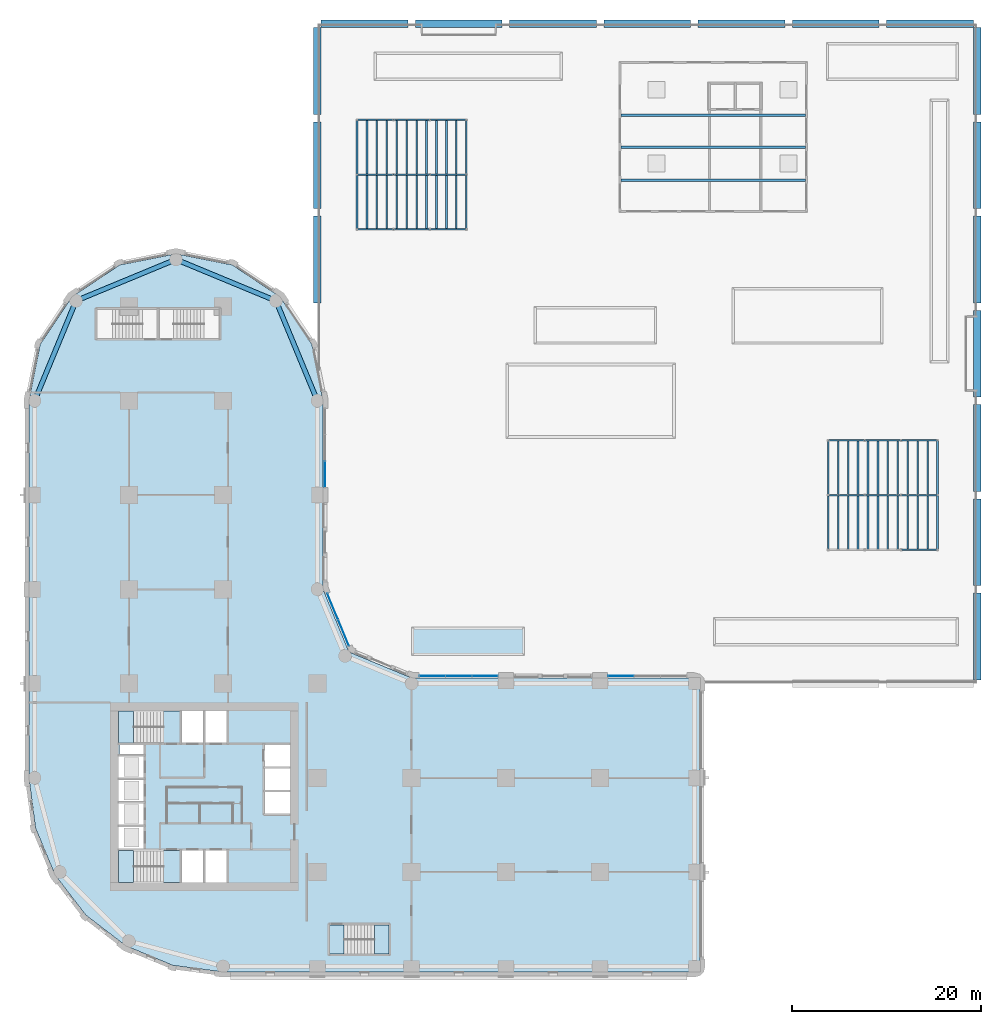
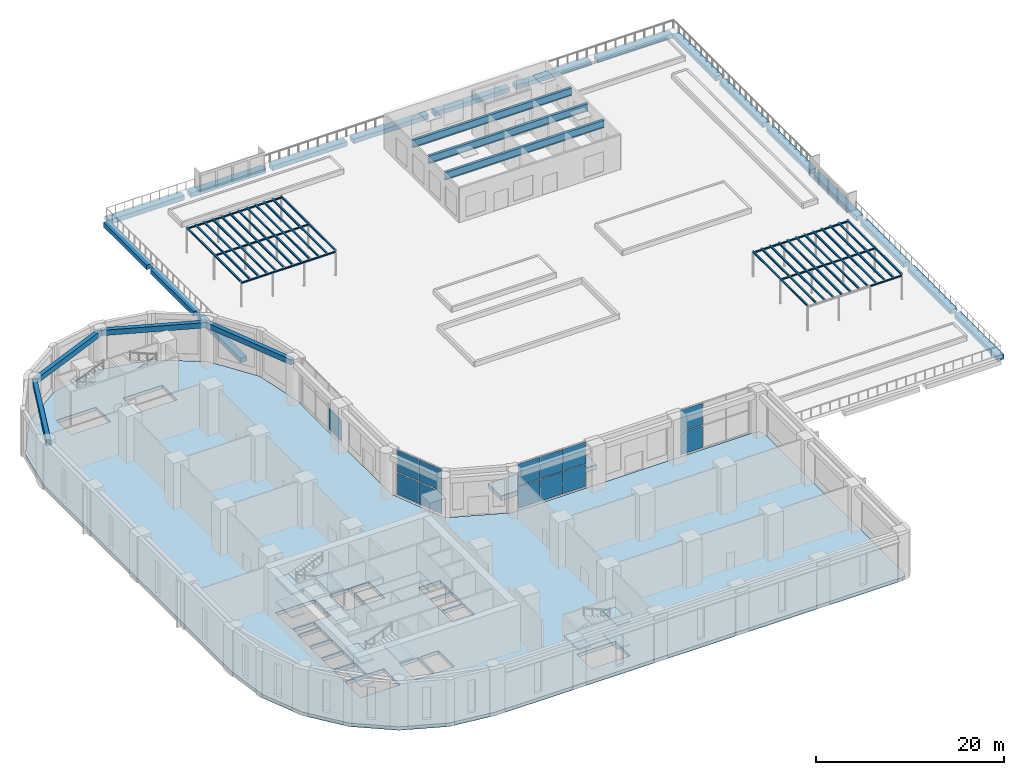
# One storey, part 11 of 28: 48 members, 40 beams, 13 plates, 11 slabs, 7 elements without a shape of their own.
"""IFC4 building model written with IfcOpenShell, lengths in metres."""

from ifc_helpers import new_model, si_unit, direction, frame, origin, origin_2d, place, context, subcontext, project, spatial, polyline, rectangle, i_section, outline, extrude, material, layer, layer_set, material_profile, profile_set, type_object, element, aggregate, save


model = new_model("IFC4")

# Units and contexts
model_context = context("Model", 3, precision=1e-05, world=origin(), true_north=direction((0.0, 1.0)))
body_context = subcontext(model_context, "Body", "Model", "MODEL_VIEW")
ifc_project = project(units=[si_unit("LENGTHUNIT", "METRE"), si_unit("AREAUNIT", "SQUARE_METRE"), si_unit("VOLUMEUNIT", "CUBIC_METRE"), si_unit("PLANEANGLEUNIT", "RADIAN"), si_unit("MASSUNIT", "GRAM", prefix="KILO")], contexts=[model_context])

# Site, building, storey
site_placement = place(None, origin())
site = spatial("IfcSite", under=ifc_project, at=site_placement, CompositionType="ELEMENT")
building_placement = place(site_placement, origin())
building = spatial("IfcBuilding", under=site, at=building_placement, Name="Qaws Garden Tower", CompositionType="ELEMENT")
storey_placement = place(building_placement, frame((0.0, 0.0, 6.0)))
storey = spatial("IfcBuildingStorey", under=building, at=storey_placement, Name="L01", CompositionType="ELEMENT", Elevation=6.0)

# Beams
ifc_material_1 = material(Name="Concrete C45", Category="concrete")
ifc_material_profile_1 = material_profile(ifc_material_1, rectangle(XDim=0.800048828125, YDim=0.60009765625, at=origin_2d()), Name="Edge beam 800 x 600")
ifc_profile_set_1 = profile_set([ifc_material_profile_1], Name="Concrete C45")
beam_type_1 = type_object("IfcBeamType", Name="Edge beam 800 x 600", PredefinedType="BEAM", material=ifc_profile_set_1)
for number, where, z_axis, x_axis, name in (
    (1, (30.0, 70.39990234375, -0.75), (0.0, 1.0, 0.0), (-1.0, 0.0, 0.0), "Deck edge beam 1"),
    (2, (30.0, 80.39990234375, -0.75), (0.0, 1.0, 0.0), (-1.0, 0.0, 0.0), "Deck edge beam 2"),
    (3, (30.0, 90.39990234375, -0.75), (0.0, 1.0, 0.0), (-1.0, 0.0, 0.0), "Deck edge beam 3"),
    (4, (30.39990234375, 100.0, -0.75), (1.0, 0.0, 0.0), (0.0, 1.0, 0.0), "Deck edge beam 4"),
    (5, (40.39990234375, 100.0, -0.75), (1.0, 0.0, 0.0), (0.0, 1.0, 0.0), "Deck edge beam 5"),
    (6, (50.39990234375, 100.0, -0.75), (1.0, 0.0, 0.0), (0.0, 1.0, 0.0), "Deck edge beam 6"),
    (7, (60.39990234375, 100.0, -0.75), (1.0, 0.0, 0.0), (0.0, 1.0, 0.0), "Deck edge beam 7"),
    (8, (70.39990234375, 100.0, -0.75), (1.0, 0.0, 0.0), (0.0, 1.0, 0.0), "Deck edge beam 8"),
    (9, (80.39990234375, 100.0, -0.75), (1.0, 0.0, 0.0), (0.0, 1.0, 0.0), "Deck edge beam 10"),
    (10, (90.39990234375, 100.0, -0.75), (1.0, 0.0, 0.0), (0.0, 1.0, 0.0), "Deck edge beam 12"),
    (11, (100.0, 30.39990234375, -0.75), (0.0, 1.0, 0.0), (-1.0, 0.0, 0.0), "Deck edge beam 13"),
    (12, (100.0, 40.39990234375, -0.75), (0.0, 1.0, 0.0), (-1.0, 0.0, 0.0), "Deck edge beam 14"),
    (13, (100.0, 50.39990234375, -0.75), (0.0, 1.0, 0.0), (-1.0, 0.0, 0.0), "Deck edge beam 15"),
    (14, (100.0, 60.39990234375, -0.75), (0.0, 1.0, 0.0), (-1.0, 0.0, 0.0), "Deck edge beam 16"),
    (15, (100.0, 70.39990234375, -0.75), (0.0, 1.0, 0.0), (-1.0, 0.0, 0.0), "Deck edge beam 17"),
    (16, (100.0, 80.39990234375, -0.75), (0.0, 1.0, 0.0), (-1.0, 0.0, 0.0), "Deck edge beam 18"),
    (17, (100.0, 90.39990234375, -0.75), (0.0, 1.0, 0.0), (-1.0, 0.0, 0.0), "Deck edge beam 19"),
):
    element("IfcBeam", number, at=place(storey_placement, frame(where, z_axis=z_axis, x_axis=x_axis)), inside=storey, type_object=beam_type_1, Name=name, PredefinedType="BEAM", context=body_context, shape_type="SweptSolid", body=[
        extrude(rectangle(XDim=0.800048828125, YDim=0.60009765625, at=origin_2d()), origin(), (0.0, 0.0, 1.0), 9.2001953125),
    ])
ifc_material_2 = material(Name="Steel S355", Category="steel")
ifc_material_profile_2 = material_profile(ifc_material_2, i_section(OverallWidth=0.300048828125, OverallDepth=1.0, WebThickness=0.01904296875, FlangeThickness=0.035888671875, FilletRadius=0.030029296875, at=origin_2d()), Name="HEB 1000")
ifc_profile_set_2 = profile_set([ifc_material_profile_2], Name="Steel S355")
beam_type_2 = type_object("IfcBeamType", Name="Pavilion roof beam HEB 1000", PredefinedType="BEAM", material=ifc_profile_set_2)
for number, where, z_axis, x_axis, name in (
    (18, (62.199951171875, 83.39990234375, 4.0), (1.0, 0.0, 0.0), (0.0, 1.0, 0.0), "Garden pavilion roof beam 1"),
    (19, (62.199951171875, 86.89990234375, 4.0), (1.0, 0.0, 0.0), (0.0, 1.0, 0.0), "Garden pavilion roof beam 2"),
    (20, (62.199951171875, 90.300048828125, 4.0), (1.0, 0.0, 0.0), (0.0, 1.0, 0.0), "Garden pavilion roof beam 3"),
):
    element("IfcBeam", number, at=place(storey_placement, frame(where, z_axis=z_axis, x_axis=x_axis)), inside=storey, type_object=beam_type_2, Name=name, PredefinedType="BEAM", context=body_context, shape_type="SweptSolid", body=[
        extrude(i_section(OverallWidth=0.300048828125, OverallDepth=1.0, WebThickness=0.01904296875, FlangeThickness=0.035888671875, FilletRadius=0.030029296875, at=origin_2d()), origin(), (0.0, 0.0, 1.0), 19.60009765625),
    ])
ifc_material_3 = material(Name="Steel S355", Category="steel")
ifc_material_profile_3 = material_profile(ifc_material_3, i_section(OverallWidth=0.159912109375, OverallDepth=0.159912109375, WebThickness=0.008056640625, FlangeThickness=0.012939453125, FilletRadius=0.014892578125, at=origin_2d()), Name="HEB 160")
ifc_profile_set_3 = profile_set([ifc_material_profile_3], Name="Steel S355")
beam_type_3 = type_object("IfcBeamType", Name="Pergola beam HEB 160", PredefinedType="BEAM", material=ifc_profile_set_3)
for number, where, z_axis, x_axis, name in (
    (21, (34.199951171875, 78.199951171875, 3.0400390625), (1.0, 0.0, 0.0), (0.0, 1.0, 0.0), "Pergola 1 beam 1.1"),
    (22, (38.066650390625, 78.199951171875, 3.0400390625), (1.0, 0.0, 0.0), (0.0, 1.0, 0.0), "Pergola 1 beam 1.2"),
    (23, (41.933349609375, 78.199951171875, 3.0400390625), (1.0, 0.0, 0.0), (0.0, 1.0, 0.0), "Pergola 1 beam 1.3"),
    (24, (34.199951171875, 84.0, 3.0400390625), (1.0, 0.0, 0.0), (0.0, 1.0, 0.0), "Pergola 1 beam 2.1"),
    (25, (38.066650390625, 84.0, 3.0400390625), (1.0, 0.0, 0.0), (0.0, 1.0, 0.0), "Pergola 1 beam 2.2"),
    (26, (41.933349609375, 84.0, 3.0400390625), (1.0, 0.0, 0.0), (0.0, 1.0, 0.0), "Pergola 1 beam 2.3"),
    (27, (34.199951171875, 89.800048828125, 3.0400390625), (1.0, 0.0, 0.0), (0.0, 1.0, 0.0), "Pergola 1 beam 3.1"),
    (28, (38.066650390625, 89.800048828125, 3.0400390625), (1.0, 0.0, 0.0), (0.0, 1.0, 0.0), "Pergola 1 beam 3.2"),
    (29, (41.933349609375, 89.800048828125, 3.0400390625), (1.0, 0.0, 0.0), (0.0, 1.0, 0.0), "Pergola 1 beam 3.3"),
    (30, (91.933349609375, 44.199951171875, 3.0400390625), (1.0, 0.0, 0.0), (0.0, 1.0, 0.0), "Pergola 2 beam 1.3"),
    (31, (84.199951171875, 50.0, 3.0400390625), (1.0, 0.0, 0.0), (0.0, 1.0, 0.0), "Pergola 2 beam 2.1"),
    (32, (88.066650390625, 50.0, 3.0400390625), (1.0, 0.0, 0.0), (0.0, 1.0, 0.0), "Pergola 2 beam 2.2"),
    (33, (91.933349609375, 50.0, 3.0400390625), (1.0, 0.0, 0.0), (0.0, 1.0, 0.0), "Pergola 2 beam 2.3"),
    (34, (84.199951171875, 55.800048828125, 3.0400390625), (1.0, 0.0, 0.0), (0.0, 1.0, 0.0), "Pergola 2 beam 3.1"),
    (35, (88.066650390625, 55.800048828125, 3.0400390625), (1.0, 0.0, 0.0), (0.0, 1.0, 0.0), "Pergola 2 beam 3.2"),
    (36, (91.933349609375, 55.800048828125, 3.0400390625), (1.0, 0.0, 0.0), (0.0, 1.0, 0.0), "Pergola 2 beam 3.3"),
):
    element("IfcBeam", number, at=place(storey_placement, frame(where, z_axis=z_axis, x_axis=x_axis)), inside=storey, type_object=beam_type_3, Name=name, PredefinedType="BEAM", context=body_context, shape_type="SweptSolid", body=[
        extrude(i_section(OverallWidth=0.159912109375, OverallDepth=0.159912109375, WebThickness=0.008056640625, FlangeThickness=0.012939453125, FilletRadius=0.014892578125, at=origin_2d()), origin(), (0.0, 0.0, 1.0), 3.86669921875),
    ])

# Members
ifc_material_4 = material(Name="Steel S355", Category="steel")
ifc_material_profile_4 = material_profile(ifc_material_4, i_section(OverallWidth=0.179931640625, OverallDepth=0.1708984375, WebThickness=0.006103515625, FlangeThickness=0.009521484375, FilletRadius=0.014892578125, at=origin_2d()), Name="HEA 180")
ifc_profile_set_4 = profile_set([ifc_material_profile_4], Name="Steel S355")
member_type = type_object("IfcMemberType", Name="Pergola rafter HEA 180", PredefinedType="BRACE", material=ifc_profile_set_4)
for number, where, z_axis, x_axis, name in (
    (37, (34.199951171875, 78.199951171875, 3.20556640625), (0.0, 1.0, 0.0), (-1.0, 0.0, 0.0), "Pergola 1 rafter 1.1"),
    (38, (34.199951171875, 84.0, 3.20556640625), (0.0, 1.0, 0.0), (-1.0, 0.0, 0.0), "Pergola 1 rafter 1.2"),
    (39, (35.254638671875, 78.199951171875, 3.20556640625), (0.0, 1.0, 0.0), (-1.0, 0.0, 0.0), "Pergola 1 rafter 2.1"),
    (40, (35.254638671875, 84.0, 3.20556640625), (0.0, 1.0, 0.0), (-1.0, 0.0, 0.0), "Pergola 1 rafter 2.2"),
    (41, (36.30908203125, 78.199951171875, 3.20556640625), (0.0, 1.0, 0.0), (-1.0, 0.0, 0.0), "Pergola 1 rafter 3.1"),
    (42, (36.30908203125, 84.0, 3.20556640625), (0.0, 1.0, 0.0), (-1.0, 0.0, 0.0), "Pergola 1 rafter 3.2"),
    (43, (37.363525390625, 78.199951171875, 3.20556640625), (0.0, 1.0, 0.0), (-1.0, 0.0, 0.0), "Pergola 1 rafter 4.1"),
    (44, (37.363525390625, 84.0, 3.20556640625), (0.0, 1.0, 0.0), (-1.0, 0.0, 0.0), "Pergola 1 rafter 4.2"),
    (45, (38.418212890625, 78.199951171875, 3.20556640625), (0.0, 1.0, 0.0), (-1.0, 0.0, 0.0), "Pergola 1 rafter 5.1"),
    (46, (38.418212890625, 84.0, 3.20556640625), (0.0, 1.0, 0.0), (-1.0, 0.0, 0.0), "Pergola 1 rafter 5.2"),
    (47, (39.47265625, 78.199951171875, 3.20556640625), (0.0, 1.0, 0.0), (-1.0, 0.0, 0.0), "Pergola 1 rafter 6.1"),
    (48, (39.47265625, 84.0, 3.20556640625), (0.0, 1.0, 0.0), (-1.0, 0.0, 0.0), "Pergola 1 rafter 6.2"),
    (49, (40.52734375, 78.199951171875, 3.20556640625), (0.0, 1.0, 0.0), (-1.0, 0.0, 0.0), "Pergola 1 rafter 7.1"),
    (50, (40.52734375, 84.0, 3.20556640625), (0.0, 1.0, 0.0), (-1.0, 0.0, 0.0), "Pergola 1 rafter 7.2"),
    (51, (41.581787109375, 78.199951171875, 3.20556640625), (0.0, 1.0, 0.0), (-1.0, 0.0, 0.0), "Pergola 1 rafter 8.1"),
    (52, (41.581787109375, 84.0, 3.20556640625), (0.0, 1.0, 0.0), (-1.0, 0.0, 0.0), "Pergola 1 rafter 8.2"),
    (53, (42.636474609375, 78.199951171875, 3.20556640625), (0.0, 1.0, 0.0), (-1.0, 0.0, 0.0), "Pergola 1 rafter 9.1"),
    (54, (42.636474609375, 84.0, 3.20556640625), (0.0, 1.0, 0.0), (-1.0, 0.0, 0.0), "Pergola 1 rafter 9.2"),
    (55, (43.69091796875, 78.199951171875, 3.20556640625), (0.0, 1.0, 0.0), (-1.0, 0.0, 0.0), "Pergola 1 rafter 10.1"),
    (56, (43.69091796875, 84.0, 3.20556640625), (0.0, 1.0, 0.0), (-1.0, 0.0, 0.0), "Pergola 1 rafter 10.2"),
    (57, (44.745361328125, 78.199951171875, 3.20556640625), (0.0, 1.0, 0.0), (-1.0, 0.0, 0.0), "Pergola 1 rafter 11.1"),
    (58, (44.745361328125, 84.0, 3.20556640625), (0.0, 1.0, 0.0), (-1.0, 0.0, 0.0), "Pergola 1 rafter 11.2"),
    (59, (45.800048828125, 78.199951171875, 3.20556640625), (0.0, 1.0, 0.0), (-1.0, 0.0, 0.0), "Pergola 1 rafter 12.1"),
    (60, (45.800048828125, 84.0, 3.20556640625), (0.0, 1.0, 0.0), (-1.0, 0.0, 0.0), "Pergola 1 rafter 12.2"),
    (61, (84.199951171875, 44.199951171875, 3.20556640625), (0.0, 1.0, 0.0), (-1.0, 0.0, 0.0), "Pergola 2 rafter 1.1"),
    (62, (84.199951171875, 50.0, 3.20556640625), (0.0, 1.0, 0.0), (-1.0, 0.0, 0.0), "Pergola 2 rafter 1.2"),
    (63, (85.254638671875, 44.199951171875, 3.20556640625), (0.0, 1.0, 0.0), (-1.0, 0.0, 0.0), "Pergola 2 rafter 2.1"),
    (64, (85.254638671875, 50.0, 3.20556640625), (0.0, 1.0, 0.0), (-1.0, 0.0, 0.0), "Pergola 2 rafter 2.2"),
    (65, (86.30908203125, 44.199951171875, 3.20556640625), (0.0, 1.0, 0.0), (-1.0, 0.0, 0.0), "Pergola 2 rafter 3.1"),
    (66, (86.30908203125, 50.0, 3.20556640625), (0.0, 1.0, 0.0), (-1.0, 0.0, 0.0), "Pergola 2 rafter 3.2"),
    (67, (87.363525390625, 44.199951171875, 3.20556640625), (0.0, 1.0, 0.0), (-1.0, 0.0, 0.0), "Pergola 2 rafter 4.1"),
    (68, (87.363525390625, 50.0, 3.20556640625), (0.0, 1.0, 0.0), (-1.0, 0.0, 0.0), "Pergola 2 rafter 4.2"),
    (69, (88.418212890625, 44.199951171875, 3.20556640625), (0.0, 1.0, 0.0), (-1.0, 0.0, 0.0), "Pergola 2 rafter 5.1"),
    (70, (88.418212890625, 50.0, 3.20556640625), (0.0, 1.0, 0.0), (-1.0, 0.0, 0.0), "Pergola 2 rafter 5.2"),
    (71, (89.47265625, 44.199951171875, 3.20556640625), (0.0, 1.0, 0.0), (-1.0, 0.0, 0.0), "Pergola 2 rafter 6.1"),
    (72, (89.47265625, 50.0, 3.20556640625), (0.0, 1.0, 0.0), (-1.0, 0.0, 0.0), "Pergola 2 rafter 6.2"),
    (73, (90.52734375, 44.199951171875, 3.20556640625), (0.0, 1.0, 0.0), (-1.0, 0.0, 0.0), "Pergola 2 rafter 7.1"),
    (74, (90.52734375, 50.0, 3.20556640625), (0.0, 1.0, 0.0), (-1.0, 0.0, 0.0), "Pergola 2 rafter 7.2"),
    (75, (91.581787109375, 44.199951171875, 3.20556640625), (0.0, 1.0, 0.0), (-1.0, 0.0, 0.0), "Pergola 2 rafter 8.1"),
    (76, (91.581787109375, 50.0, 3.20556640625), (0.0, 1.0, 0.0), (-1.0, 0.0, 0.0), "Pergola 2 rafter 8.2"),
    (77, (92.636474609375, 44.199951171875, 3.20556640625), (0.0, 1.0, 0.0), (-1.0, 0.0, 0.0), "Pergola 2 rafter 9.1"),
    (78, (92.636474609375, 50.0, 3.20556640625), (0.0, 1.0, 0.0), (-1.0, 0.0, 0.0), "Pergola 2 rafter 9.2"),
    (79, (93.69091796875, 44.199951171875, 3.20556640625), (0.0, 1.0, 0.0), (-1.0, 0.0, 0.0), "Pergola 2 rafter 10.1"),
    (80, (93.69091796875, 50.0, 3.20556640625), (0.0, 1.0, 0.0), (-1.0, 0.0, 0.0), "Pergola 2 rafter 10.2"),
    (81, (94.745361328125, 44.199951171875, 3.20556640625), (0.0, 1.0, 0.0), (-1.0, 0.0, 0.0), "Pergola 2 rafter 11.1"),
    (82, (94.745361328125, 50.0, 3.20556640625), (0.0, 1.0, 0.0), (-1.0, 0.0, 0.0), "Pergola 2 rafter 11.2"),
    (83, (95.800048828125, 44.199951171875, 3.20556640625), (0.0, 1.0, 0.0), (-1.0, 0.0, 0.0), "Pergola 2 rafter 12.1"),
    (84, (95.800048828125, 50.0, 3.20556640625), (0.0, 1.0, 0.0), (-1.0, 0.0, 0.0), "Pergola 2 rafter 12.2"),
):
    element("IfcMember", number, at=place(storey_placement, frame(where, z_axis=z_axis, x_axis=x_axis)), inside=storey, type_object=member_type, Name=name, PredefinedType="BRACE", context=body_context, shape_type="SweptSolid", body=[
        extrude(i_section(OverallWidth=0.179931640625, OverallDepth=0.1708984375, WebThickness=0.006103515625, FlangeThickness=0.009521484375, FilletRadius=0.014892578125, at=origin_2d()), origin(), (0.0, 0.0, 1.0), 5.800048828125),
    ])

# Beams
ifc_material_5 = material(Name="Concrete C45", Category="concrete")
ifc_material_profile_5 = material_profile(ifc_material_5, rectangle(XDim=0.5, YDim=0.699951171875, at=origin_2d()), Name="RC 500x700")
ifc_profile_set_5 = profile_set([ifc_material_profile_5], Name="Concrete C45")
beam_type_4 = type_object("IfcBeamType", Name="Spandrel beam RC 500x700 C45", PredefinedType="SPANDREL", material=ifc_profile_set_5)
for number, where, z_axis, x_axis, name in (
    (85, (30.0, 60.0, 5.330078125), (-0.382674207535, 0.923883353507, 0.0), (-0.923883353507, -0.382674207535, 0.0), "Spandrel beam L01-016"),
    (86, (25.606689453125, 70.606689453125, 5.330078125), (-0.923883353507, 0.382674207535, 0.0), (-0.382674207535, -0.923883353507, 0.0), "Spandrel beam L01-017"),
    (87, (15.0, 75.0, 5.330078125), (-0.923883353507, -0.382674207535, 0.0), (0.382674207535, -0.923883353507, 0.0), "Spandrel beam L01-018"),
    (88, (4.393310546875, 70.606689453125, 5.330078125), (-0.382674207535, -0.923883353507, 0.0), (0.923883353507, -0.382674207535, 0.0), "Spandrel beam L01-019"),
):
    element("IfcBeam", number, at=place(storey_placement, frame(where, z_axis=z_axis, x_axis=x_axis)), inside=storey, type_object=beam_type_4, Name=name, PredefinedType="SPANDREL", context=body_context, shape_type="SweptSolid", body=[
        extrude(rectangle(XDim=0.5, YDim=0.699951171875, at=origin_2d()), origin(), (0.0, 0.0, 1.0), 11.48046875),
    ])

# Curtain wall, plates
ifc_material_6 = material(Name="Anodised aluminium curtain wall frame", Category="aluminium")
ifc_layer_1 = layer(ifc_material_6, 0.159912109375)
ifc_layer_set_1 = layer_set([ifc_layer_1], Name="Anodised aluminium curtain wall frame")
curtain_wall_type = type_object("IfcCurtainWallType", Name="CW4 garden level glazing curtain wall", PredefinedType="NOTDEFINED", material=ifc_layer_set_1)
placement_1 = place(storey_placement, origin())
curtain_wall_1 = element("IfcCurtainWall", 89, at=placement_1, inside=storey, type_object=curtain_wall_type, Name="CW4 Garden level glazing 08", PredefinedType="NOTDEFINED")
ifc_material_7 = material(Name="Clear laminated glass", Category="glass")
ifc_layer_2 = layer(ifc_material_7, 0.028076171875)
ifc_layer_set_2 = layer_set([ifc_layer_2], Name="Clear laminated glass")
plate_type = type_object("IfcPlateType", Name="CW4 glass panel 28", PredefinedType="CURTAIN_PANEL", material=ifc_layer_set_2)
plate_1_placement = place(storey_placement, frame((62.21240234375, 30.800048828125, 0.099853515625), z_axis=(0.0, 0.0, 1.0), x_axis=(-1.0, 0.0, 0.0)))
plate_1 = element("IfcPlate", 90, at=plate_1_placement, type_object=plate_type, Name="CW4 panel 3.1", PredefinedType="CURTAIN_PANEL", context=body_context, shape_type="SweptSolid", body=[
    extrude(rectangle(XDim=2.72509765625, YDim=0.028076171875, at=origin_2d()), origin(), (0.0, 0.0, 1.0), 2.85009765625),
])
plate_2_placement = place(storey_placement, frame((62.21240234375, 30.800048828125, 3.050048828125), z_axis=(0.0, 0.0, 1.0), x_axis=(-1.0, 0.0, 0.0)))
plate_2 = element("IfcPlate", 91, at=plate_2_placement, type_object=plate_type, Name="CW4 panel 3.2", PredefinedType="CURTAIN_PANEL", context=body_context, shape_type="SweptSolid", body=[
    extrude(rectangle(XDim=2.72509765625, YDim=0.028076171875, at=origin_2d()), origin(), (0.0, 0.0, 1.0), 2.85009765625),
])
aggregate(curtain_wall_1, [plate_1, plate_2])

curtain_wall_2 = element("IfcCurtainWall", 92, at=placement_1, inside=storey, type_object=curtain_wall_type, Name="CW4 Garden level glazing 10", PredefinedType="NOTDEFINED")
plate_3_placement = place(storey_placement, frame((47.78759765625, 30.800048828125, 0.099853515625), z_axis=(0.0, 0.0, 1.0), x_axis=(-1.0, 0.0, 0.0)))
plate_3 = element("IfcPlate", 93, at=plate_3_placement, type_object=plate_type, Name="CW4 panel 1.1", PredefinedType="CURTAIN_PANEL", context=body_context, shape_type="SweptSolid", body=[
    extrude(rectangle(XDim=2.72509765625, YDim=0.028076171875, at=origin_2d()), origin(), (0.0, 0.0, 1.0), 2.85009765625),
])
plate_4_placement = place(storey_placement, frame((47.78759765625, 30.800048828125, 3.050048828125), z_axis=(0.0, 0.0, 1.0), x_axis=(-1.0, 0.0, 0.0)))
plate_4 = element("IfcPlate", 94, at=plate_4_placement, type_object=plate_type, Name="CW4 panel 1.2", PredefinedType="CURTAIN_PANEL", context=body_context, shape_type="SweptSolid", body=[
    extrude(rectangle(XDim=2.72509765625, YDim=0.028076171875, at=origin_2d()), origin(), (0.0, 0.0, 1.0), 2.85009765625),
])
plate_5_placement = place(storey_placement, frame((45.0, 30.800048828125, 0.099853515625), z_axis=(0.0, 0.0, 1.0), x_axis=(-1.0, 0.0, 0.0)))
plate_5 = element("IfcPlate", 95, at=plate_5_placement, type_object=plate_type, Name="CW4 panel 2.1", PredefinedType="CURTAIN_PANEL", context=body_context, shape_type="SweptSolid", body=[
    extrude(rectangle(XDim=2.75, YDim=0.028076171875, at=origin_2d()), origin(), (0.0, 0.0, 1.0), 2.85009765625),
])
plate_6_placement = place(storey_placement, frame((45.0, 30.800048828125, 3.050048828125), z_axis=(0.0, 0.0, 1.0), x_axis=(-1.0, 0.0, 0.0)))
plate_6 = element("IfcPlate", 96, at=plate_6_placement, type_object=plate_type, Name="CW4 panel 2.2", PredefinedType="CURTAIN_PANEL", context=body_context, shape_type="SweptSolid", body=[
    extrude(rectangle(XDim=2.75, YDim=0.028076171875, at=origin_2d()), origin(), (0.0, 0.0, 1.0), 2.85009765625),
])
plate_7_placement = place(storey_placement, frame((42.21240234375, 30.800048828125, 0.099853515625), z_axis=(0.0, 0.0, 1.0), x_axis=(-1.0, 0.0, 0.0)))
plate_7 = element("IfcPlate", 97, at=plate_7_placement, type_object=plate_type, Name="CW4 panel 3.1", PredefinedType="CURTAIN_PANEL", context=body_context, shape_type="SweptSolid", body=[
    extrude(rectangle(XDim=2.72509765625, YDim=0.028076171875, at=origin_2d()), origin(), (0.0, 0.0, 1.0), 2.85009765625),
])
plate_8_placement = place(storey_placement, frame((42.21240234375, 30.800048828125, 3.050048828125), z_axis=(0.0, 0.0, 1.0), x_axis=(-1.0, 0.0, 0.0)))
plate_8 = element("IfcPlate", 98, at=plate_8_placement, type_object=plate_type, Name="CW4 panel 3.2", PredefinedType="CURTAIN_PANEL", context=body_context, shape_type="SweptSolid", body=[
    extrude(rectangle(XDim=2.72509765625, YDim=0.028076171875, at=origin_2d()), origin(), (0.0, 0.0, 1.0), 2.85009765625),
])
aggregate(curtain_wall_2, [plate_3, plate_4, plate_5, plate_6, plate_7, plate_8])

curtain_wall_3 = element("IfcCurtainWall", 99, at=placement_1, inside=storey, type_object=curtain_wall_type, Name="CW4 Garden level glazing 12", PredefinedType="NOTDEFINED")
plate_9_placement = place(storey_placement, frame((32.77783203125, 35.384033203125, 0.099853515625), z_axis=(0.0, 0.0, 1.0), x_axis=(-0.382683432301, 0.923879532538, 0.0)))
plate_9 = element("IfcPlate", 100, at=plate_9_placement, type_object=plate_type, Name="CW4 panel 1.1", PredefinedType="CURTAIN_PANEL", context=body_context, shape_type="SweptSolid", body=[
    extrude(rectangle(XDim=2.951904296875, YDim=0.028076171875, at=origin_2d()), origin(), (0.0, 0.0, 1.0), 2.85009765625),
])
plate_10_placement = place(storey_placement, frame((32.77783203125, 35.384033203125, 3.050048828125), z_axis=(0.0, 0.0, 1.0), x_axis=(-0.382683432301, 0.923879532538, 0.0)))
plate_10 = element("IfcPlate", 101, at=plate_10_placement, type_object=plate_type, Name="CW4 panel 1.2", PredefinedType="CURTAIN_PANEL", context=body_context, shape_type="SweptSolid", body=[
    extrude(rectangle(XDim=2.951904296875, YDim=0.028076171875, at=origin_2d()), origin(), (0.0, 0.0, 1.0), 2.85009765625),
])
plate_11_placement = place(storey_placement, frame((31.629150390625, 38.1572265625, 0.099853515625), z_axis=(0.0, 0.0, 1.0), x_axis=(-0.382683432301, 0.923879532538, 0.0)))
plate_11 = element("IfcPlate", 102, at=plate_11_placement, type_object=plate_type, Name="CW4 panel 2.1", PredefinedType="CURTAIN_PANEL", context=body_context, shape_type="SweptSolid", body=[
    extrude(rectangle(XDim=2.951904296875, YDim=0.028076171875, at=origin_2d()), origin(), (0.0, 0.0, 1.0), 2.85009765625),
])
plate_12_placement = place(storey_placement, frame((31.629150390625, 38.1572265625, 3.050048828125), z_axis=(0.0, 0.0, 1.0), x_axis=(-0.382683432301, 0.923879532538, 0.0)))
plate_12 = element("IfcPlate", 103, at=plate_12_placement, type_object=plate_type, Name="CW4 panel 2.2", PredefinedType="CURTAIN_PANEL", context=body_context, shape_type="SweptSolid", body=[
    extrude(rectangle(XDim=2.951904296875, YDim=0.028076171875, at=origin_2d()), origin(), (0.0, 0.0, 1.0), 2.85009765625),
])
aggregate(curtain_wall_3, [plate_9, plate_10, plate_11, plate_12])

# Curtain wall, plate
curtain_wall_4 = element("IfcCurtainWall", 104, at=placement_1, inside=storey, type_object=curtain_wall_type, Name="CW4 Garden level glazing 14", PredefinedType="NOTDEFINED")
plate_13_placement = place(storey_placement, frame((30.800048828125, 52.21240234375, 0.099853515625), z_axis=(0.0, 0.0, 1.0), x_axis=(0.0, 1.0, 0.0)))
plate_13 = element("IfcPlate", 105, at=plate_13_placement, type_object=plate_type, Name="CW4 panel 1.1", PredefinedType="CURTAIN_PANEL", context=body_context, shape_type="SweptSolid", body=[
    extrude(rectangle(XDim=2.72509765625, YDim=0.028076171875, at=origin_2d()), origin(), (0.0, 0.0, 1.0), 2.85009765625),
])
aggregate(curtain_wall_4, [plate_13])

# Slabs
ifc_material_8 = material(Name="Concrete C45", Category="concrete")
ifc_layer_3 = layer(ifc_material_8, 0.449951171875)
ifc_layer_set_3 = layer_set([ifc_layer_3], Name="Concrete C45")
slab_type_1 = type_object("IfcSlabType", Name="Floor slab 450 C45", PredefinedType="FLOOR", material=ifc_layer_set_3)
slab_1_placement = place(storey_placement, frame((0.0, 0.0, -0.449951171875)))
element("IfcSlab", 106, at=slab_1_placement, inside=storey, type_object=slab_type_1, Name="Floor slab L01", PredefinedType="FLOOR", context=body_context, shape_type="SweptSolid", body=[
    extrude(outline(polyline([(0.101806640625, 14.668212890625), (-0.60009765625, 20.0), (-0.60009765625, 30.60009765625), (-0.60009765625, 60.0), (-0.60009765625, 60.0), (0.58740234375, 65.969970703125), (3.968994140625, 71.031005859375), (9.030029296875, 74.41259765625), (15.0, 75.60009765625), (20.969970703125, 74.41259765625), (26.031005859375, 71.031005859375), (29.41259765625, 65.969970703125), (30.60009765625, 60.0), (30.60009765625, 40.0), (33.353271484375, 33.353271484375), (40.0, 30.60009765625), (70.0, 30.60009765625), (70.42431640625, 30.42431640625), (70.60009765625, 30.0), (70.60009765625, 0.0), (70.42431640625, -0.42431640625), (70.0, -0.60009765625), (30.60009765625, -0.60009765625), (20.0, -0.60009765625), (14.668212890625, 0.101806640625), (9.699951171875, 2.159912109375), (5.43359375, 5.43359375), (2.159912109375, 9.699951171875), (0.101806640625, 14.668212890625)]), holes=[polyline([(13.699462890625, 12.300048828125), (8.89990234375, 12.300048828125), (8.89990234375, 8.89990234375), (13.699462890625, 8.89990234375), (13.699462890625, 12.300048828125)]), polyline([(17.89990234375, 12.300048828125), (15.60009765625, 12.300048828125), (15.60009765625, 8.89990234375), (17.89990234375, 8.89990234375), (17.89990234375, 12.300048828125)]), polyline([(11.60009765625, 14.800048828125), (8.89990234375, 14.800048828125), (8.89990234375, 12.5), (11.60009765625, 12.5), (11.60009765625, 14.800048828125)]), polyline([(11.60009765625, 17.300048828125), (8.89990234375, 17.300048828125), (8.89990234375, 15.0), (11.60009765625, 15.0), (11.60009765625, 17.300048828125)]), polyline([(11.60009765625, 19.800048828125), (8.89990234375, 19.800048828125), (8.89990234375, 17.5), (11.60009765625, 17.5), (11.60009765625, 19.800048828125)]), polyline([(11.60009765625, 22.300048828125), (8.89990234375, 22.300048828125), (8.89990234375, 20.0), (11.60009765625, 20.0), (11.60009765625, 22.300048828125)]), polyline([(11.60009765625, 23.5), (9.0, 23.5), (9.0, 22.5), (11.60009765625, 22.5), (11.60009765625, 23.5)]), polyline([(13.699462890625, 27.10009765625), (8.89990234375, 27.10009765625), (8.89990234375, 23.699951171875), (13.699462890625, 23.699951171875), (13.699462890625, 27.10009765625)]), polyline([(11.449462890625, 69.699951171875), (6.60009765625, 69.699951171875), (6.60009765625, 66.60009765625), (11.449462890625, 66.60009765625), (11.449462890625, 69.699951171875)]), polyline([(37.60009765625, 4.39990234375), (32.8505859375, 4.39990234375), (32.8505859375, 1.300048828125), (37.60009765625, 1.300048828125), (37.60009765625, 4.39990234375)]), polyline([(20.39990234375, 12.300048828125), (18.10009765625, 12.300048828125), (18.10009765625, 8.89990234375), (20.39990234375, 8.89990234375), (20.39990234375, 12.300048828125)]), polyline([(27.10009765625, 18.5), (24.39990234375, 18.5), (24.39990234375, 16.199951171875), (27.10009765625, 16.199951171875), (27.10009765625, 18.5)]), polyline([(27.10009765625, 21.0), (24.39990234375, 21.0), (24.39990234375, 18.699951171875), (27.10009765625, 18.699951171875), (27.10009765625, 21.0)]), polyline([(27.10009765625, 23.5), (24.39990234375, 23.5), (24.39990234375, 21.199951171875), (27.10009765625, 21.199951171875), (27.10009765625, 23.5)]), polyline([(17.89990234375, 27.10009765625), (15.60009765625, 27.10009765625), (15.60009765625, 23.699951171875), (17.89990234375, 23.699951171875), (17.89990234375, 27.10009765625)]), polyline([(20.39990234375, 23.699951171875), (20.39990234375, 27.10009765625), (18.10009765625, 27.10009765625), (18.10009765625, 23.699951171875), (20.39990234375, 23.699951171875)]), polyline([(19.60009765625, 66.60009765625), (19.60009765625, 69.699951171875), (14.75048828125, 69.699951171875), (14.75048828125, 66.60009765625), (19.60009765625, 66.60009765625)])]), origin(), (0.0, 0.0, 1.0), 0.449951171875),
])
ifc_material_9 = material(Name="Planting soil")
ifc_layer_4 = layer(ifc_material_9, 0.60009765625)
ifc_layer_set_4 = layer_set([ifc_layer_4], Name="Planting soil")
slab_type_2 = type_object("IfcSlabType", Name="PLANTER bed 600", PredefinedType="FLOOR", material=ifc_layer_set_4)
slab_2_placement = place(storey_placement, frame((0.0, 0.0, -0.0400390625)))
element("IfcSlab", 107, at=slab_2_placement, inside=storey, type_object=slab_type_2, Name="PLANTER 04", PredefinedType="FLOOR", context=body_context, shape_type="SweptSolid", body=[
    extrude(outline(polyline([(40.125, 33.125), (51.875, 33.125), (51.875, 35.875), (40.125, 35.875), (40.125, 33.125)])), origin(), (0.0, 0.0, 1.0), 0.60009765625),
])

# Stair, slabs
ifc_material_10 = material(Name="Concrete C40", Category="concrete")
stair_type_1 = type_object("IfcStairType", Name="Exit stair 1500", PredefinedType="HALF_TURN_STAIR", material=ifc_material_10)
stair_1 = element("IfcStair", 108, at=placement_1, inside=storey, type_object=stair_type_1, Name="Stair 1", PredefinedType="HALF_TURN_STAIR")
ifc_material_11 = material(Name="Concrete C40", Category="concrete")
ifc_layer_5 = layer(ifc_material_11, 0.199951171875)
ifc_layer_set_5 = layer_set([ifc_layer_5], Name="Concrete C40")
slab_type_3 = type_object("IfcSlabType", Name="Stair landing 200", PredefinedType="LANDING", material=ifc_layer_set_5)
placement_2 = place(storey_placement, frame((0.0, 0.0, 1.300048828125)))
slab_3 = element("IfcSlab", 109, at=placement_2, type_object=slab_type_3, Name="ST1 landing 1", PredefinedType="LANDING", context=body_context, shape_type="SweptSolid", body=[
    extrude(outline(polyline([(8.89990234375, 8.89990234375), (10.49609375, 8.89990234375), (10.49609375, 12.300048828125), (8.89990234375, 12.300048828125), (8.89990234375, 8.89990234375)])), origin(), (0.0, 0.0, 1.0), 0.199951171875),
])
placement_3 = place(storey_placement, frame((0.0, 0.0, 2.800048828125)))
slab_4 = element("IfcSlab", 110, at=placement_3, type_object=slab_type_3, Name="ST1 landing 2", PredefinedType="LANDING", context=body_context, shape_type="SweptSolid", body=[
    extrude(outline(polyline([(13.699951171875, 8.89990234375), (15.39990234375, 8.89990234375), (15.39990234375, 12.300048828125), (13.699951171875, 12.300048828125), (13.699951171875, 8.89990234375)])), origin(), (0.0, 0.0, 1.0), 0.199951171875),
])
placement_4 = place(storey_placement, frame((0.0, 0.0, 4.300048828125)))
slab_5 = element("IfcSlab", 111, at=placement_4, type_object=slab_type_3, Name="ST1 landing 3", PredefinedType="LANDING", context=body_context, shape_type="SweptSolid", body=[
    extrude(outline(polyline([(8.89990234375, 8.89990234375), (10.49609375, 8.89990234375), (10.49609375, 12.300048828125), (8.89990234375, 12.300048828125), (8.89990234375, 8.89990234375)])), origin(), (0.0, 0.0, 1.0), 0.199951171875),
])
aggregate(stair_1, [slab_3, slab_4, slab_5])

stair_2 = element("IfcStair", 112, at=placement_1, inside=storey, type_object=stair_type_1, Name="Stair 4", PredefinedType="HALF_TURN_STAIR")
slab_6 = element("IfcSlab", 113, at=placement_2, type_object=slab_type_3, Name="ST4 landing 1", PredefinedType="LANDING", context=body_context, shape_type="SweptSolid", body=[
    extrude(outline(polyline([(8.89990234375, 23.699951171875), (10.49609375, 23.699951171875), (10.49609375, 27.10009765625), (8.89990234375, 27.10009765625), (8.89990234375, 23.699951171875)])), origin(), (0.0, 0.0, 1.0), 0.199951171875),
])
slab_7 = element("IfcSlab", 114, at=placement_3, type_object=slab_type_3, Name="ST4 landing 2", PredefinedType="LANDING", context=body_context, shape_type="SweptSolid", body=[
    extrude(outline(polyline([(13.699951171875, 23.699951171875), (15.39990234375, 23.699951171875), (15.39990234375, 27.10009765625), (13.699951171875, 27.10009765625), (13.699951171875, 23.699951171875)])), origin(), (0.0, 0.0, 1.0), 0.199951171875),
])
slab_8 = element("IfcSlab", 115, at=placement_4, type_object=slab_type_3, Name="ST4 landing 3", PredefinedType="LANDING", context=body_context, shape_type="SweptSolid", body=[
    extrude(outline(polyline([(8.89990234375, 23.699951171875), (10.49609375, 23.699951171875), (10.49609375, 27.10009765625), (8.89990234375, 27.10009765625), (8.89990234375, 23.699951171875)])), origin(), (0.0, 0.0, 1.0), 0.199951171875),
])
aggregate(stair_2, [slab_6, slab_7, slab_8])

ifc_material_12 = material(Name="Concrete C40", Category="concrete")
stair_type_2 = type_object("IfcStairType", Name="Exit stair 1350", PredefinedType="HALF_TURN_STAIR", material=ifc_material_12)
stair_3 = element("IfcStair", 116, at=placement_1, inside=storey, type_object=stair_type_2, Name="Stair 5", PredefinedType="HALF_TURN_STAIR")
slab_9 = element("IfcSlab", 117, at=placement_2, type_object=slab_type_3, Name="ST5 landing 1", PredefinedType="LANDING", context=body_context, shape_type="SweptSolid", body=[
    extrude(outline(polyline([(36.053955078125, 1.300048828125), (37.60009765625, 1.300048828125), (37.60009765625, 4.39990234375), (36.053955078125, 4.39990234375), (36.053955078125, 1.300048828125)])), origin(), (0.0, 0.0, 1.0), 0.199951171875),
])
slab_10 = element("IfcSlab", 118, at=placement_3, type_object=slab_type_3, Name="ST5 landing 2", PredefinedType="LANDING", context=body_context, shape_type="SweptSolid", body=[
    extrude(outline(polyline([(31.300048828125, 1.300048828125), (32.85009765625, 1.300048828125), (32.85009765625, 4.39990234375), (31.300048828125, 4.39990234375), (31.300048828125, 1.300048828125)])), origin(), (0.0, 0.0, 1.0), 0.199951171875),
])
slab_11 = element("IfcSlab", 119, at=placement_4, type_object=slab_type_3, Name="ST5 landing 3", PredefinedType="LANDING", context=body_context, shape_type="SweptSolid", body=[
    extrude(outline(polyline([(36.053955078125, 1.300048828125), (37.60009765625, 1.300048828125), (37.60009765625, 4.39990234375), (36.053955078125, 4.39990234375), (36.053955078125, 1.300048828125)])), origin(), (0.0, 0.0, 1.0), 0.199951171875),
])
aggregate(stair_3, [slab_9, slab_10, slab_11])

save(model, "model.ifc")
